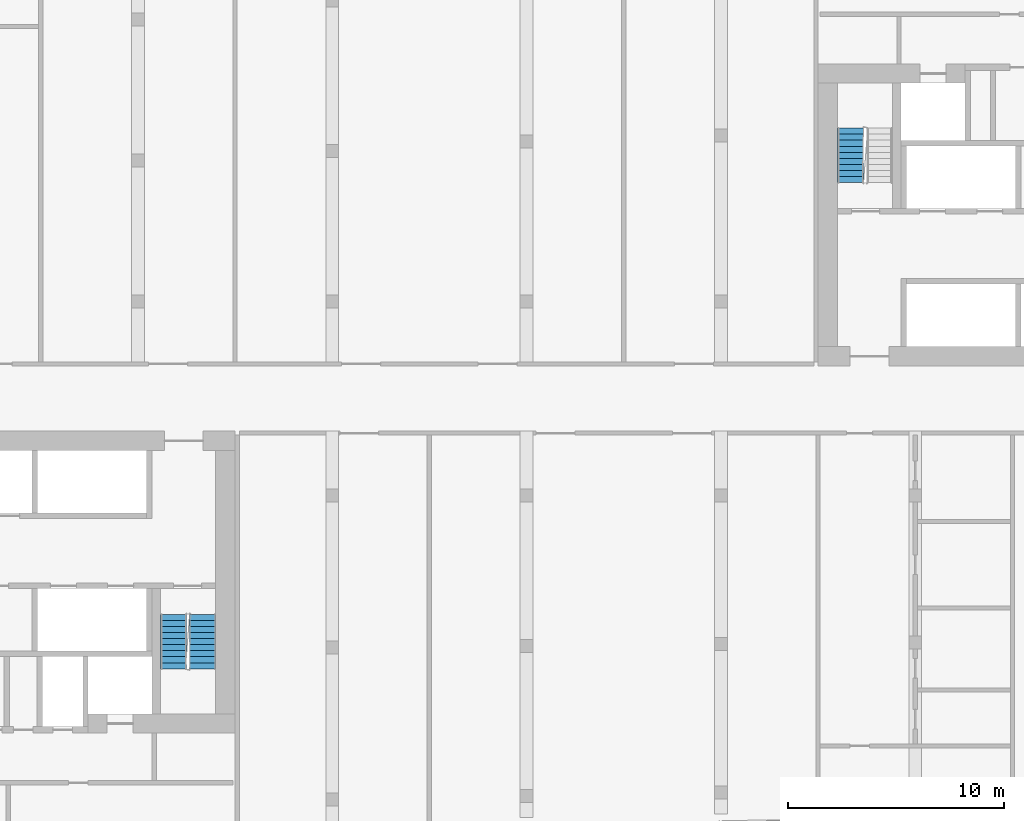
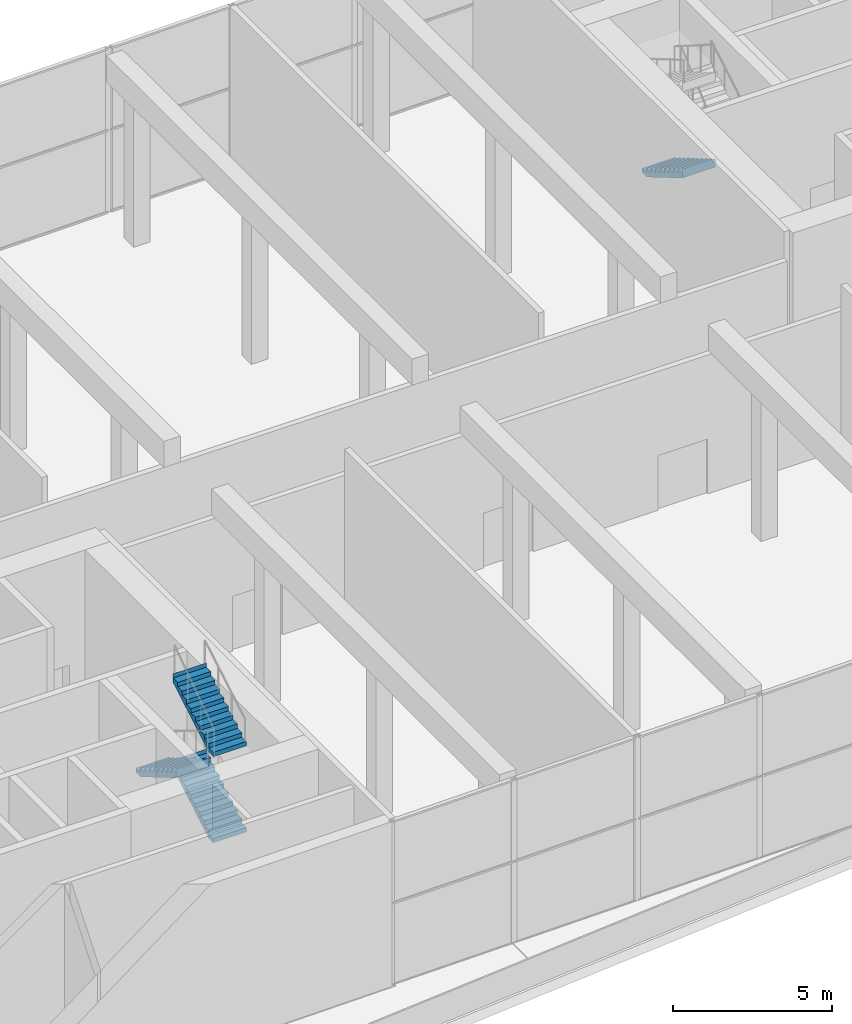
# One storey, part 18 of 24: 4 stair flights, 2 elements without a shape of their own.
"""IFC4 building model written with IfcOpenShell, lengths in metres."""

from ifc_helpers import new_model, si_unit, direction, frame, origin, place, context, subcontext, project, spatial, faceted_brep, material, type_object, element, aggregate, save


model = new_model("IFC4")

# Units and contexts
model_context = context("Model", 3, precision=1e-05, world=origin(), true_north=direction((0.0, 1.0)))
body_context = subcontext(model_context, "Body", "Model", "MODEL_VIEW")
ifc_project = project(units=[si_unit("LENGTHUNIT", "METRE"), si_unit("AREAUNIT", "SQUARE_METRE"), si_unit("VOLUMEUNIT", "CUBIC_METRE"), si_unit("PLANEANGLEUNIT", "RADIAN"), si_unit("MASSUNIT", "GRAM", prefix="KILO")], contexts=[model_context])

# Site, building, storey
site_placement = place(None, origin())
site = spatial("IfcSite", under=ifc_project, at=site_placement, CompositionType="ELEMENT")
building_placement = place(site_placement, origin())
building = spatial("IfcBuilding", under=site, at=building_placement, Name="Kajstack Hotel Tower", CompositionType="ELEMENT")
storey_placement = place(building_placement, frame((0.0, 0.0, 211.10009765625)))
storey = spatial("IfcBuildingStorey", under=building, at=storey_placement, Name="L51", CompositionType="ELEMENT", Elevation=211.10009765625)

# Stair, stair flights
ifc_material = material(Name="Concrete C40/50", Category="concrete")
stair_type = type_object("IfcStairType", Name="Exit stair 1200", PredefinedType="HALF_TURN_STAIR", material=ifc_material)
stair_1_placement = place(storey_placement, origin())
stair_1 = element("IfcStair", 1, at=stair_1_placement, inside=storey, type_object=stair_type, Name="L51 stair W2", PredefinedType="HALF_TURN_STAIR")
stair_flight_type = type_object("IfcStairFlightType", Name="Exit stair flight 1200", PredefinedType="STRAIGHT", material=ifc_material)
stair_flight_1_placement = place(storey_placement, frame((-15.0, -12.52001953125, 1.64990234375), z_axis=(0.0, 0.0, 1.0), x_axis=(0.0, 1.0, 0.0)))
stair_flight_1 = element("IfcStairFlight", 2, at=stair_flight_1_placement, type_object=stair_flight_type, Name="W2 flight 2", NumberOfRisers=10, NumberOfTreads=9, PredefinedType="STRAIGHT", RiserHeight=0.165, TreadLength=0.28, context=body_context, shape_type="Brep", body=[
    faceted_brep([(0.295654296875, -0.60009765625, 0.0), (2.5205078125, -0.60009765625, 1.31103515625), (2.5205078125, -0.60009765625, 1.64990234375), (2.52001953125, -0.60009765625, 1.64990234375), (2.52001953125, -0.60009765625, 1.485107421875), (2.239990234375, -0.60009765625, 1.485107421875), (2.239990234375, -0.60009765625, 1.320068359375), (1.9599609375, -0.60009765625, 1.320068359375), (1.9599609375, -0.60009765625, 1.155029296875), (1.679931640625, -0.60009765625, 1.155029296875), (1.679931640625, -0.60009765625, 0.989990234375), (1.39990234375, -0.60009765625, 0.989990234375), (1.39990234375, -0.60009765625, 0.824951171875), (1.1201171875, -0.60009765625, 0.824951171875), (1.1201171875, -0.60009765625, 0.659912109375), (0.840087890625, -0.60009765625, 0.659912109375), (0.840087890625, -0.60009765625, 0.4951171875), (0.56005859375, -0.60009765625, 0.4951171875), (0.56005859375, -0.60009765625, 0.330078125), (0.280029296875, -0.60009765625, 0.330078125), (0.280029296875, -0.60009765625, 0.1650390625), (-0.00048828125, -0.60009765625, 0.1650390625), (-0.00048828125, -0.60009765625, 0.0), (-0.00048828125, 0.60009765625, 0.0), (-0.00048828125, 0.60009765625, 0.1650390625), (0.280029296875, 0.60009765625, 0.1650390625), (0.280029296875, 0.60009765625, 0.330078125), (0.56005859375, 0.60009765625, 0.330078125), (0.56005859375, 0.60009765625, 0.4951171875), (0.840087890625, 0.60009765625, 0.4951171875), (0.840087890625, 0.60009765625, 0.659912109375), (1.1201171875, 0.60009765625, 0.659912109375), (1.1201171875, 0.60009765625, 0.824951171875), (1.39990234375, 0.60009765625, 0.824951171875), (1.39990234375, 0.60009765625, 0.989990234375), (1.679931640625, 0.60009765625, 0.989990234375), (1.679931640625, 0.60009765625, 1.155029296875), (1.9599609375, 0.60009765625, 1.155029296875), (1.9599609375, 0.60009765625, 1.320068359375), (2.239990234375, 0.60009765625, 1.320068359375), (2.239990234375, 0.60009765625, 1.485107421875), (2.52001953125, 0.60009765625, 1.485107421875), (2.52001953125, 0.60009765625, 1.64990234375), (2.5205078125, 0.60009765625, 1.64990234375), (2.5205078125, 0.60009765625, 1.31103515625), (0.295654296875, 0.60009765625, 0.0), (-0.00048828125, -0.300048828125, 0.1650390625), (-0.00048828125, 0.0, 0.1650390625), (-0.00048828125, 0.300048828125, 0.1650390625), (-0.00048828125, 0.300048828125, 0.0), (-0.00048828125, 0.0, 0.0), (-0.00048828125, -0.300048828125, 0.0), (0.280029296875, -0.300048828125, 0.1650390625), (0.280029296875, 0.0, 0.1650390625), (0.280029296875, 0.300048828125, 0.1650390625), (0.280029296875, -0.300048828125, 0.330078125), (0.280029296875, 0.0, 0.330078125), (0.280029296875, 0.300048828125, 0.330078125), (0.56005859375, -0.300048828125, 0.330078125), (0.56005859375, 0.0, 0.330078125), (0.56005859375, 0.300048828125, 0.330078125), (0.56005859375, -0.300048828125, 0.4951171875), (0.56005859375, 0.0, 0.4951171875), (0.56005859375, 0.300048828125, 0.4951171875), (0.840087890625, -0.300048828125, 0.4951171875), (0.840087890625, 0.0, 0.4951171875), (0.840087890625, 0.300048828125, 0.4951171875), (0.840087890625, -0.300048828125, 0.659912109375), (0.840087890625, 0.0, 0.659912109375), (0.840087890625, 0.300048828125, 0.659912109375), (1.1201171875, -0.300048828125, 0.659912109375), (1.1201171875, 0.0, 0.659912109375), (1.1201171875, 0.300048828125, 0.659912109375), (1.1201171875, -0.300048828125, 0.824951171875), (1.1201171875, 0.0, 0.824951171875), (1.1201171875, 0.300048828125, 0.824951171875), (1.39990234375, -0.300048828125, 0.824951171875), (1.39990234375, 0.0, 0.824951171875), (1.39990234375, 0.300048828125, 0.824951171875), (1.39990234375, -0.300048828125, 0.989990234375), (1.39990234375, 0.0, 0.989990234375), (1.39990234375, 0.300048828125, 0.989990234375), (1.679931640625, -0.300048828125, 0.989990234375), (1.679931640625, 0.0, 0.989990234375), (1.679931640625, 0.300048828125, 0.989990234375), (1.679931640625, -0.300048828125, 1.155029296875), (1.679931640625, 0.0, 1.155029296875), (1.679931640625, 0.300048828125, 1.155029296875), (1.9599609375, -0.300048828125, 1.155029296875), (1.9599609375, 0.0, 1.155029296875), (1.9599609375, 0.300048828125, 1.155029296875), (1.9599609375, -0.300048828125, 1.320068359375), (1.9599609375, 0.0, 1.320068359375), (1.9599609375, 0.300048828125, 1.320068359375), (2.239990234375, -0.300048828125, 1.320068359375), (2.239990234375, 0.0, 1.320068359375), (2.239990234375, 0.300048828125, 1.320068359375), (2.239990234375, -0.300048828125, 1.485107421875), (2.239990234375, 0.0, 1.485107421875), (2.239990234375, 0.300048828125, 1.485107421875), (2.52001953125, -0.300048828125, 1.485107421875), (2.52001953125, 0.0, 1.485107421875), (2.52001953125, 0.300048828125, 1.485107421875), (2.52001953125, -0.300048828125, 1.64990234375), (2.52001953125, 0.0, 1.64990234375), (2.52001953125, 0.300048828125, 1.64990234375), (2.5205078125, -0.300048828125, 1.64990234375), (2.5205078125, 0.0, 1.64990234375), (2.5205078125, 0.300048828125, 1.64990234375), (2.5205078125, -0.300048828125, 1.31103515625), (2.5205078125, 0.0, 1.31103515625), (2.5205078125, 0.300048828125, 1.31103515625), (0.295654296875, -0.300048828125, 0.0), (0.295654296875, 0.0, 0.0), (0.295654296875, 0.300048828125, 0.0)], [[[0, 1, 2, 3, 4, 5, 6, 7, 8, 9, 10, 11, 12, 13, 14, 15, 16, 17, 18, 19, 20, 21, 22]], [[23, 24, 25, 26, 27, 28, 29, 30, 31, 32, 33, 34, 35, 36, 37, 38, 39, 40, 41, 42, 43, 44, 45]], [[21, 46, 47, 48, 24, 23, 49, 50, 51, 22]], [[20, 52, 53, 54, 25, 24, 48, 47, 46, 21]], [[19, 55, 56, 57, 26, 25, 54, 53, 52, 20]], [[18, 58, 59, 60, 27, 26, 57, 56, 55, 19]], [[17, 61, 62, 63, 28, 27, 60, 59, 58, 18]], [[16, 64, 65, 66, 29, 28, 63, 62, 61, 17]], [[15, 67, 68, 69, 30, 29, 66, 65, 64, 16]], [[14, 70, 71, 72, 31, 30, 69, 68, 67, 15]], [[13, 73, 74, 75, 32, 31, 72, 71, 70, 14]], [[12, 76, 77, 78, 33, 32, 75, 74, 73, 13]], [[11, 79, 80, 81, 34, 33, 78, 77, 76, 12]], [[10, 82, 83, 84, 35, 34, 81, 80, 79, 11]], [[9, 85, 86, 87, 36, 35, 84, 83, 82, 10]], [[8, 88, 89, 90, 37, 36, 87, 86, 85, 9]], [[7, 91, 92, 93, 38, 37, 90, 89, 88, 8]], [[6, 94, 95, 96, 39, 38, 93, 92, 91, 7]], [[5, 97, 98, 99, 40, 39, 96, 95, 94, 6]], [[4, 100, 101, 102, 41, 40, 99, 98, 97, 5]], [[3, 103, 104, 105, 42, 41, 102, 101, 100, 4]], [[2, 106, 107, 108, 43, 42, 105, 104, 103, 3]], [[1, 109, 110, 111, 44, 43, 108, 107, 106, 2]], [[0, 112, 113, 114, 45, 44, 111, 110, 109, 1]], [[22, 51, 50, 49, 23, 45, 114, 113, 112, 0]]]),
])
stair_flight_2_placement = place(storey_placement, frame((-16.35009765625, -10.0, 3.2998046875), z_axis=(0.0, 0.0, 1.0), x_axis=(0.0, -1.0, 0.0)))
stair_flight_2 = element("IfcStairFlight", 3, at=stair_flight_2_placement, type_object=stair_flight_type, Name="W2 flight 3", NumberOfRisers=10, NumberOfTreads=9, PredefinedType="STRAIGHT", RiserHeight=0.165, TreadLength=0.28, context=body_context, shape_type="Brep", body=[
    faceted_brep([(0.295654296875, -0.60009765625, 0.0), (2.5205078125, -0.60009765625, 1.31103515625), (2.5205078125, -0.60009765625, 1.64990234375), (2.52001953125, -0.60009765625, 1.64990234375), (2.52001953125, -0.60009765625, 1.485107421875), (2.239990234375, -0.60009765625, 1.485107421875), (2.239990234375, -0.60009765625, 1.320068359375), (1.9599609375, -0.60009765625, 1.320068359375), (1.9599609375, -0.60009765625, 1.155029296875), (1.679931640625, -0.60009765625, 1.155029296875), (1.679931640625, -0.60009765625, 0.989990234375), (1.39990234375, -0.60009765625, 0.989990234375), (1.39990234375, -0.60009765625, 0.824951171875), (1.1201171875, -0.60009765625, 0.824951171875), (1.1201171875, -0.60009765625, 0.659912109375), (0.840087890625, -0.60009765625, 0.659912109375), (0.840087890625, -0.60009765625, 0.4951171875), (0.56005859375, -0.60009765625, 0.4951171875), (0.56005859375, -0.60009765625, 0.330078125), (0.280029296875, -0.60009765625, 0.330078125), (0.280029296875, -0.60009765625, 0.1650390625), (-0.00048828125, -0.60009765625, 0.1650390625), (-0.00048828125, -0.60009765625, 0.0), (-0.00048828125, 0.60009765625, 0.0), (-0.00048828125, 0.60009765625, 0.1650390625), (0.280029296875, 0.60009765625, 0.1650390625), (0.280029296875, 0.60009765625, 0.330078125), (0.56005859375, 0.60009765625, 0.330078125), (0.56005859375, 0.60009765625, 0.4951171875), (0.840087890625, 0.60009765625, 0.4951171875), (0.840087890625, 0.60009765625, 0.659912109375), (1.1201171875, 0.60009765625, 0.659912109375), (1.1201171875, 0.60009765625, 0.824951171875), (1.39990234375, 0.60009765625, 0.824951171875), (1.39990234375, 0.60009765625, 0.989990234375), (1.679931640625, 0.60009765625, 0.989990234375), (1.679931640625, 0.60009765625, 1.155029296875), (1.9599609375, 0.60009765625, 1.155029296875), (1.9599609375, 0.60009765625, 1.320068359375), (2.239990234375, 0.60009765625, 1.320068359375), (2.239990234375, 0.60009765625, 1.485107421875), (2.52001953125, 0.60009765625, 1.485107421875), (2.52001953125, 0.60009765625, 1.64990234375), (2.5205078125, 0.60009765625, 1.64990234375), (2.5205078125, 0.60009765625, 1.31103515625), (0.295654296875, 0.60009765625, 0.0), (-0.00048828125, -0.300048828125, 0.1650390625), (-0.00048828125, 0.0, 0.1650390625), (-0.00048828125, 0.300048828125, 0.1650390625), (-0.00048828125, 0.300048828125, 0.0), (-0.00048828125, 0.0, 0.0), (-0.00048828125, -0.300048828125, 0.0), (0.280029296875, -0.300048828125, 0.1650390625), (0.280029296875, 0.0, 0.1650390625), (0.280029296875, 0.300048828125, 0.1650390625), (0.280029296875, -0.300048828125, 0.330078125), (0.280029296875, 0.0, 0.330078125), (0.280029296875, 0.300048828125, 0.330078125), (0.56005859375, -0.300048828125, 0.330078125), (0.56005859375, 0.0, 0.330078125), (0.56005859375, 0.300048828125, 0.330078125), (0.56005859375, -0.300048828125, 0.4951171875), (0.56005859375, 0.0, 0.4951171875), (0.56005859375, 0.300048828125, 0.4951171875), (0.840087890625, -0.300048828125, 0.4951171875), (0.840087890625, 0.0, 0.4951171875), (0.840087890625, 0.300048828125, 0.4951171875), (0.840087890625, -0.300048828125, 0.659912109375), (0.840087890625, 0.0, 0.659912109375), (0.840087890625, 0.300048828125, 0.659912109375), (1.1201171875, -0.300048828125, 0.659912109375), (1.1201171875, 0.0, 0.659912109375), (1.1201171875, 0.300048828125, 0.659912109375), (1.1201171875, -0.300048828125, 0.824951171875), (1.1201171875, 0.0, 0.824951171875), (1.1201171875, 0.300048828125, 0.824951171875), (1.39990234375, -0.300048828125, 0.824951171875), (1.39990234375, 0.0, 0.824951171875), (1.39990234375, 0.300048828125, 0.824951171875), (1.39990234375, -0.300048828125, 0.989990234375), (1.39990234375, 0.0, 0.989990234375), (1.39990234375, 0.300048828125, 0.989990234375), (1.679931640625, -0.300048828125, 0.989990234375), (1.679931640625, 0.0, 0.989990234375), (1.679931640625, 0.300048828125, 0.989990234375), (1.679931640625, -0.300048828125, 1.155029296875), (1.679931640625, 0.0, 1.155029296875), (1.679931640625, 0.300048828125, 1.155029296875), (1.9599609375, -0.300048828125, 1.155029296875), (1.9599609375, 0.0, 1.155029296875), (1.9599609375, 0.300048828125, 1.155029296875), (1.9599609375, -0.300048828125, 1.320068359375), (1.9599609375, 0.0, 1.320068359375), (1.9599609375, 0.300048828125, 1.320068359375), (2.239990234375, -0.300048828125, 1.320068359375), (2.239990234375, 0.0, 1.320068359375), (2.239990234375, 0.300048828125, 1.320068359375), (2.239990234375, -0.300048828125, 1.485107421875), (2.239990234375, 0.0, 1.485107421875), (2.239990234375, 0.300048828125, 1.485107421875), (2.52001953125, -0.300048828125, 1.485107421875), (2.52001953125, 0.0, 1.485107421875), (2.52001953125, 0.300048828125, 1.485107421875), (2.52001953125, -0.300048828125, 1.64990234375), (2.52001953125, 0.0, 1.64990234375), (2.52001953125, 0.300048828125, 1.64990234375), (2.5205078125, -0.300048828125, 1.64990234375), (2.5205078125, 0.0, 1.64990234375), (2.5205078125, 0.300048828125, 1.64990234375), (2.5205078125, -0.300048828125, 1.31103515625), (2.5205078125, 0.0, 1.31103515625), (2.5205078125, 0.300048828125, 1.31103515625), (0.295654296875, -0.300048828125, 0.0), (0.295654296875, 0.0, 0.0), (0.295654296875, 0.300048828125, 0.0)], [[[0, 1, 2, 3, 4, 5, 6, 7, 8, 9, 10, 11, 12, 13, 14, 15, 16, 17, 18, 19, 20, 21, 22]], [[23, 24, 25, 26, 27, 28, 29, 30, 31, 32, 33, 34, 35, 36, 37, 38, 39, 40, 41, 42, 43, 44, 45]], [[21, 46, 47, 48, 24, 23, 49, 50, 51, 22]], [[20, 52, 53, 54, 25, 24, 48, 47, 46, 21]], [[19, 55, 56, 57, 26, 25, 54, 53, 52, 20]], [[18, 58, 59, 60, 27, 26, 57, 56, 55, 19]], [[17, 61, 62, 63, 28, 27, 60, 59, 58, 18]], [[16, 64, 65, 66, 29, 28, 63, 62, 61, 17]], [[15, 67, 68, 69, 30, 29, 66, 65, 64, 16]], [[14, 70, 71, 72, 31, 30, 69, 68, 67, 15]], [[13, 73, 74, 75, 32, 31, 72, 71, 70, 14]], [[12, 76, 77, 78, 33, 32, 75, 74, 73, 13]], [[11, 79, 80, 81, 34, 33, 78, 77, 76, 12]], [[10, 82, 83, 84, 35, 34, 81, 80, 79, 11]], [[9, 85, 86, 87, 36, 35, 84, 83, 82, 10]], [[8, 88, 89, 90, 37, 36, 87, 86, 85, 9]], [[7, 91, 92, 93, 38, 37, 90, 89, 88, 8]], [[6, 94, 95, 96, 39, 38, 93, 92, 91, 7]], [[5, 97, 98, 99, 40, 39, 96, 95, 94, 6]], [[4, 100, 101, 102, 41, 40, 99, 98, 97, 5]], [[3, 103, 104, 105, 42, 41, 102, 101, 100, 4]], [[2, 106, 107, 108, 43, 42, 105, 104, 103, 3]], [[1, 109, 110, 111, 44, 43, 108, 107, 106, 2]], [[0, 112, 113, 114, 45, 44, 111, 110, 109, 1]], [[22, 51, 50, 49, 23, 45, 114, 113, 112, 0]]]),
])
stair_flight_3_placement = place(storey_placement, frame((-15.0, -12.52001953125, 4.949951171875), z_axis=(0.0, 0.0, 1.0), x_axis=(0.0, 1.0, 0.0)))
stair_flight_3 = element("IfcStairFlight", 4, at=stair_flight_3_placement, type_object=stair_flight_type, Name="W2 flight 4", NumberOfRisers=10, NumberOfTreads=9, PredefinedType="STRAIGHT", RiserHeight=0.165, TreadLength=0.28, context=body_context, shape_type="Brep", body=[
    faceted_brep([(0.295654296875, -0.60009765625, 0.0), (2.5205078125, -0.60009765625, 1.31103515625), (2.5205078125, -0.60009765625, 1.64990234375), (2.52001953125, -0.60009765625, 1.64990234375), (2.52001953125, -0.60009765625, 1.485107421875), (2.239990234375, -0.60009765625, 1.485107421875), (2.239990234375, -0.60009765625, 1.320068359375), (1.9599609375, -0.60009765625, 1.320068359375), (1.9599609375, -0.60009765625, 1.155029296875), (1.679931640625, -0.60009765625, 1.155029296875), (1.679931640625, -0.60009765625, 0.989990234375), (1.39990234375, -0.60009765625, 0.989990234375), (1.39990234375, -0.60009765625, 0.824951171875), (1.1201171875, -0.60009765625, 0.824951171875), (1.1201171875, -0.60009765625, 0.659912109375), (0.840087890625, -0.60009765625, 0.659912109375), (0.840087890625, -0.60009765625, 0.4951171875), (0.56005859375, -0.60009765625, 0.4951171875), (0.56005859375, -0.60009765625, 0.330078125), (0.280029296875, -0.60009765625, 0.330078125), (0.280029296875, -0.60009765625, 0.1650390625), (-0.00048828125, -0.60009765625, 0.1650390625), (-0.00048828125, -0.60009765625, 0.0), (-0.00048828125, 0.60009765625, 0.0), (-0.00048828125, 0.60009765625, 0.1650390625), (0.280029296875, 0.60009765625, 0.1650390625), (0.280029296875, 0.60009765625, 0.330078125), (0.56005859375, 0.60009765625, 0.330078125), (0.56005859375, 0.60009765625, 0.4951171875), (0.840087890625, 0.60009765625, 0.4951171875), (0.840087890625, 0.60009765625, 0.659912109375), (1.1201171875, 0.60009765625, 0.659912109375), (1.1201171875, 0.60009765625, 0.824951171875), (1.39990234375, 0.60009765625, 0.824951171875), (1.39990234375, 0.60009765625, 0.989990234375), (1.679931640625, 0.60009765625, 0.989990234375), (1.679931640625, 0.60009765625, 1.155029296875), (1.9599609375, 0.60009765625, 1.155029296875), (1.9599609375, 0.60009765625, 1.320068359375), (2.239990234375, 0.60009765625, 1.320068359375), (2.239990234375, 0.60009765625, 1.485107421875), (2.52001953125, 0.60009765625, 1.485107421875), (2.52001953125, 0.60009765625, 1.64990234375), (2.5205078125, 0.60009765625, 1.64990234375), (2.5205078125, 0.60009765625, 1.31103515625), (0.295654296875, 0.60009765625, 0.0), (-0.00048828125, -0.300048828125, 0.1650390625), (-0.00048828125, 0.0, 0.1650390625), (-0.00048828125, 0.300048828125, 0.1650390625), (-0.00048828125, 0.300048828125, 0.0), (-0.00048828125, 0.0, 0.0), (-0.00048828125, -0.300048828125, 0.0), (0.280029296875, -0.300048828125, 0.1650390625), (0.280029296875, 0.0, 0.1650390625), (0.280029296875, 0.300048828125, 0.1650390625), (0.280029296875, -0.300048828125, 0.330078125), (0.280029296875, 0.0, 0.330078125), (0.280029296875, 0.300048828125, 0.330078125), (0.56005859375, -0.300048828125, 0.330078125), (0.56005859375, 0.0, 0.330078125), (0.56005859375, 0.300048828125, 0.330078125), (0.56005859375, -0.300048828125, 0.4951171875), (0.56005859375, 0.0, 0.4951171875), (0.56005859375, 0.300048828125, 0.4951171875), (0.840087890625, -0.300048828125, 0.4951171875), (0.840087890625, 0.0, 0.4951171875), (0.840087890625, 0.300048828125, 0.4951171875), (0.840087890625, -0.300048828125, 0.659912109375), (0.840087890625, 0.0, 0.659912109375), (0.840087890625, 0.300048828125, 0.659912109375), (1.1201171875, -0.300048828125, 0.659912109375), (1.1201171875, 0.0, 0.659912109375), (1.1201171875, 0.300048828125, 0.659912109375), (1.1201171875, -0.300048828125, 0.824951171875), (1.1201171875, 0.0, 0.824951171875), (1.1201171875, 0.300048828125, 0.824951171875), (1.39990234375, -0.300048828125, 0.824951171875), (1.39990234375, 0.0, 0.824951171875), (1.39990234375, 0.300048828125, 0.824951171875), (1.39990234375, -0.300048828125, 0.989990234375), (1.39990234375, 0.0, 0.989990234375), (1.39990234375, 0.300048828125, 0.989990234375), (1.679931640625, -0.300048828125, 0.989990234375), (1.679931640625, 0.0, 0.989990234375), (1.679931640625, 0.300048828125, 0.989990234375), (1.679931640625, -0.300048828125, 1.155029296875), (1.679931640625, 0.0, 1.155029296875), (1.679931640625, 0.300048828125, 1.155029296875), (1.9599609375, -0.300048828125, 1.155029296875), (1.9599609375, 0.0, 1.155029296875), (1.9599609375, 0.300048828125, 1.155029296875), (1.9599609375, -0.300048828125, 1.320068359375), (1.9599609375, 0.0, 1.320068359375), (1.9599609375, 0.300048828125, 1.320068359375), (2.239990234375, -0.300048828125, 1.320068359375), (2.239990234375, 0.0, 1.320068359375), (2.239990234375, 0.300048828125, 1.320068359375), (2.239990234375, -0.300048828125, 1.485107421875), (2.239990234375, 0.0, 1.485107421875), (2.239990234375, 0.300048828125, 1.485107421875), (2.52001953125, -0.300048828125, 1.485107421875), (2.52001953125, 0.0, 1.485107421875), (2.52001953125, 0.300048828125, 1.485107421875), (2.52001953125, -0.300048828125, 1.64990234375), (2.52001953125, 0.0, 1.64990234375), (2.52001953125, 0.300048828125, 1.64990234375), (2.5205078125, -0.300048828125, 1.64990234375), (2.5205078125, 0.0, 1.64990234375), (2.5205078125, 0.300048828125, 1.64990234375), (2.5205078125, -0.300048828125, 1.31103515625), (2.5205078125, 0.0, 1.31103515625), (2.5205078125, 0.300048828125, 1.31103515625), (0.295654296875, -0.300048828125, 0.0), (0.295654296875, 0.0, 0.0), (0.295654296875, 0.300048828125, 0.0)], [[[0, 1, 2, 3, 4, 5, 6, 7, 8, 9, 10, 11, 12, 13, 14, 15, 16, 17, 18, 19, 20, 21, 22]], [[23, 24, 25, 26, 27, 28, 29, 30, 31, 32, 33, 34, 35, 36, 37, 38, 39, 40, 41, 42, 43, 44, 45]], [[21, 46, 47, 48, 24, 23, 49, 50, 51, 22]], [[20, 52, 53, 54, 25, 24, 48, 47, 46, 21]], [[19, 55, 56, 57, 26, 25, 54, 53, 52, 20]], [[18, 58, 59, 60, 27, 26, 57, 56, 55, 19]], [[17, 61, 62, 63, 28, 27, 60, 59, 58, 18]], [[16, 64, 65, 66, 29, 28, 63, 62, 61, 17]], [[15, 67, 68, 69, 30, 29, 66, 65, 64, 16]], [[14, 70, 71, 72, 31, 30, 69, 68, 67, 15]], [[13, 73, 74, 75, 32, 31, 72, 71, 70, 14]], [[12, 76, 77, 78, 33, 32, 75, 74, 73, 13]], [[11, 79, 80, 81, 34, 33, 78, 77, 76, 12]], [[10, 82, 83, 84, 35, 34, 81, 80, 79, 11]], [[9, 85, 86, 87, 36, 35, 84, 83, 82, 10]], [[8, 88, 89, 90, 37, 36, 87, 86, 85, 9]], [[7, 91, 92, 93, 38, 37, 90, 89, 88, 8]], [[6, 94, 95, 96, 39, 38, 93, 92, 91, 7]], [[5, 97, 98, 99, 40, 39, 96, 95, 94, 6]], [[4, 100, 101, 102, 41, 40, 99, 98, 97, 5]], [[3, 103, 104, 105, 42, 41, 102, 101, 100, 4]], [[2, 106, 107, 108, 43, 42, 105, 104, 103, 3]], [[1, 109, 110, 111, 44, 43, 108, 107, 106, 2]], [[0, 112, 113, 114, 45, 44, 111, 110, 109, 1]], [[22, 51, 50, 49, 23, 45, 114, 113, 112, 0]]]),
])
aggregate(stair_1, [stair_flight_1, stair_flight_2, stair_flight_3])

# Stair, stair flight
stair_2_placement = place(storey_placement, origin())
stair_2 = element("IfcStair", 5, at=stair_2_placement, inside=storey, type_object=stair_type, Name="L51 stair E2", PredefinedType="HALF_TURN_STAIR")
stair_flight_4_placement = place(storey_placement, frame((15.0, 12.52001953125, 1.64990234375), z_axis=(0.0, 0.0, 1.0), x_axis=(0.0, -1.0, 0.0)))
stair_flight_4 = element("IfcStairFlight", 6, at=stair_flight_4_placement, type_object=stair_flight_type, Name="E2 flight 2", NumberOfRisers=10, NumberOfTreads=9, PredefinedType="STRAIGHT", RiserHeight=0.165, TreadLength=0.28, context=body_context, shape_type="Brep", body=[
    faceted_brep([(0.295654296875, -0.60009765625, 0.0), (2.5205078125, -0.60009765625, 1.31103515625), (2.5205078125, -0.60009765625, 1.64990234375), (2.52001953125, -0.60009765625, 1.64990234375), (2.52001953125, -0.60009765625, 1.485107421875), (2.239990234375, -0.60009765625, 1.485107421875), (2.239990234375, -0.60009765625, 1.320068359375), (1.9599609375, -0.60009765625, 1.320068359375), (1.9599609375, -0.60009765625, 1.155029296875), (1.679931640625, -0.60009765625, 1.155029296875), (1.679931640625, -0.60009765625, 0.989990234375), (1.39990234375, -0.60009765625, 0.989990234375), (1.39990234375, -0.60009765625, 0.824951171875), (1.1201171875, -0.60009765625, 0.824951171875), (1.1201171875, -0.60009765625, 0.659912109375), (0.840087890625, -0.60009765625, 0.659912109375), (0.840087890625, -0.60009765625, 0.4951171875), (0.56005859375, -0.60009765625, 0.4951171875), (0.56005859375, -0.60009765625, 0.330078125), (0.280029296875, -0.60009765625, 0.330078125), (0.280029296875, -0.60009765625, 0.1650390625), (-0.00048828125, -0.60009765625, 0.1650390625), (-0.00048828125, -0.60009765625, 0.0), (-0.00048828125, 0.60009765625, 0.0), (-0.00048828125, 0.60009765625, 0.1650390625), (0.280029296875, 0.60009765625, 0.1650390625), (0.280029296875, 0.60009765625, 0.330078125), (0.56005859375, 0.60009765625, 0.330078125), (0.56005859375, 0.60009765625, 0.4951171875), (0.840087890625, 0.60009765625, 0.4951171875), (0.840087890625, 0.60009765625, 0.659912109375), (1.1201171875, 0.60009765625, 0.659912109375), (1.1201171875, 0.60009765625, 0.824951171875), (1.39990234375, 0.60009765625, 0.824951171875), (1.39990234375, 0.60009765625, 0.989990234375), (1.679931640625, 0.60009765625, 0.989990234375), (1.679931640625, 0.60009765625, 1.155029296875), (1.9599609375, 0.60009765625, 1.155029296875), (1.9599609375, 0.60009765625, 1.320068359375), (2.239990234375, 0.60009765625, 1.320068359375), (2.239990234375, 0.60009765625, 1.485107421875), (2.52001953125, 0.60009765625, 1.485107421875), (2.52001953125, 0.60009765625, 1.64990234375), (2.5205078125, 0.60009765625, 1.64990234375), (2.5205078125, 0.60009765625, 1.31103515625), (0.295654296875, 0.60009765625, 0.0), (-0.00048828125, -0.300048828125, 0.1650390625), (-0.00048828125, 0.0, 0.1650390625), (-0.00048828125, 0.300048828125, 0.1650390625), (-0.00048828125, 0.300048828125, 0.0), (-0.00048828125, 0.0, 0.0), (-0.00048828125, -0.300048828125, 0.0), (0.280029296875, -0.300048828125, 0.1650390625), (0.280029296875, 0.0, 0.1650390625), (0.280029296875, 0.300048828125, 0.1650390625), (0.280029296875, -0.300048828125, 0.330078125), (0.280029296875, 0.0, 0.330078125), (0.280029296875, 0.300048828125, 0.330078125), (0.56005859375, -0.300048828125, 0.330078125), (0.56005859375, 0.0, 0.330078125), (0.56005859375, 0.300048828125, 0.330078125), (0.56005859375, -0.300048828125, 0.4951171875), (0.56005859375, 0.0, 0.4951171875), (0.56005859375, 0.300048828125, 0.4951171875), (0.840087890625, -0.300048828125, 0.4951171875), (0.840087890625, 0.0, 0.4951171875), (0.840087890625, 0.300048828125, 0.4951171875), (0.840087890625, -0.300048828125, 0.659912109375), (0.840087890625, 0.0, 0.659912109375), (0.840087890625, 0.300048828125, 0.659912109375), (1.1201171875, -0.300048828125, 0.659912109375), (1.1201171875, 0.0, 0.659912109375), (1.1201171875, 0.300048828125, 0.659912109375), (1.1201171875, -0.300048828125, 0.824951171875), (1.1201171875, 0.0, 0.824951171875), (1.1201171875, 0.300048828125, 0.824951171875), (1.39990234375, -0.300048828125, 0.824951171875), (1.39990234375, 0.0, 0.824951171875), (1.39990234375, 0.300048828125, 0.824951171875), (1.39990234375, -0.300048828125, 0.989990234375), (1.39990234375, 0.0, 0.989990234375), (1.39990234375, 0.300048828125, 0.989990234375), (1.679931640625, -0.300048828125, 0.989990234375), (1.679931640625, 0.0, 0.989990234375), (1.679931640625, 0.300048828125, 0.989990234375), (1.679931640625, -0.300048828125, 1.155029296875), (1.679931640625, 0.0, 1.155029296875), (1.679931640625, 0.300048828125, 1.155029296875), (1.9599609375, -0.300048828125, 1.155029296875), (1.9599609375, 0.0, 1.155029296875), (1.9599609375, 0.300048828125, 1.155029296875), (1.9599609375, -0.300048828125, 1.320068359375), (1.9599609375, 0.0, 1.320068359375), (1.9599609375, 0.300048828125, 1.320068359375), (2.239990234375, -0.300048828125, 1.320068359375), (2.239990234375, 0.0, 1.320068359375), (2.239990234375, 0.300048828125, 1.320068359375), (2.239990234375, -0.300048828125, 1.485107421875), (2.239990234375, 0.0, 1.485107421875), (2.239990234375, 0.300048828125, 1.485107421875), (2.52001953125, -0.300048828125, 1.485107421875), (2.52001953125, 0.0, 1.485107421875), (2.52001953125, 0.300048828125, 1.485107421875), (2.52001953125, -0.300048828125, 1.64990234375), (2.52001953125, 0.0, 1.64990234375), (2.52001953125, 0.300048828125, 1.64990234375), (2.5205078125, -0.300048828125, 1.64990234375), (2.5205078125, 0.0, 1.64990234375), (2.5205078125, 0.300048828125, 1.64990234375), (2.5205078125, -0.300048828125, 1.31103515625), (2.5205078125, 0.0, 1.31103515625), (2.5205078125, 0.300048828125, 1.31103515625), (0.295654296875, -0.300048828125, 0.0), (0.295654296875, 0.0, 0.0), (0.295654296875, 0.300048828125, 0.0)], [[[0, 1, 2, 3, 4, 5, 6, 7, 8, 9, 10, 11, 12, 13, 14, 15, 16, 17, 18, 19, 20, 21, 22]], [[23, 24, 25, 26, 27, 28, 29, 30, 31, 32, 33, 34, 35, 36, 37, 38, 39, 40, 41, 42, 43, 44, 45]], [[21, 46, 47, 48, 24, 23, 49, 50, 51, 22]], [[20, 52, 53, 54, 25, 24, 48, 47, 46, 21]], [[19, 55, 56, 57, 26, 25, 54, 53, 52, 20]], [[18, 58, 59, 60, 27, 26, 57, 56, 55, 19]], [[17, 61, 62, 63, 28, 27, 60, 59, 58, 18]], [[16, 64, 65, 66, 29, 28, 63, 62, 61, 17]], [[15, 67, 68, 69, 30, 29, 66, 65, 64, 16]], [[14, 70, 71, 72, 31, 30, 69, 68, 67, 15]], [[13, 73, 74, 75, 32, 31, 72, 71, 70, 14]], [[12, 76, 77, 78, 33, 32, 75, 74, 73, 13]], [[11, 79, 80, 81, 34, 33, 78, 77, 76, 12]], [[10, 82, 83, 84, 35, 34, 81, 80, 79, 11]], [[9, 85, 86, 87, 36, 35, 84, 83, 82, 10]], [[8, 88, 89, 90, 37, 36, 87, 86, 85, 9]], [[7, 91, 92, 93, 38, 37, 90, 89, 88, 8]], [[6, 94, 95, 96, 39, 38, 93, 92, 91, 7]], [[5, 97, 98, 99, 40, 39, 96, 95, 94, 6]], [[4, 100, 101, 102, 41, 40, 99, 98, 97, 5]], [[3, 103, 104, 105, 42, 41, 102, 101, 100, 4]], [[2, 106, 107, 108, 43, 42, 105, 104, 103, 3]], [[1, 109, 110, 111, 44, 43, 108, 107, 106, 2]], [[0, 112, 113, 114, 45, 44, 111, 110, 109, 1]], [[22, 51, 50, 49, 23, 45, 114, 113, 112, 0]]]),
])
aggregate(stair_2, [stair_flight_4])

save(model, "model.ifc")
